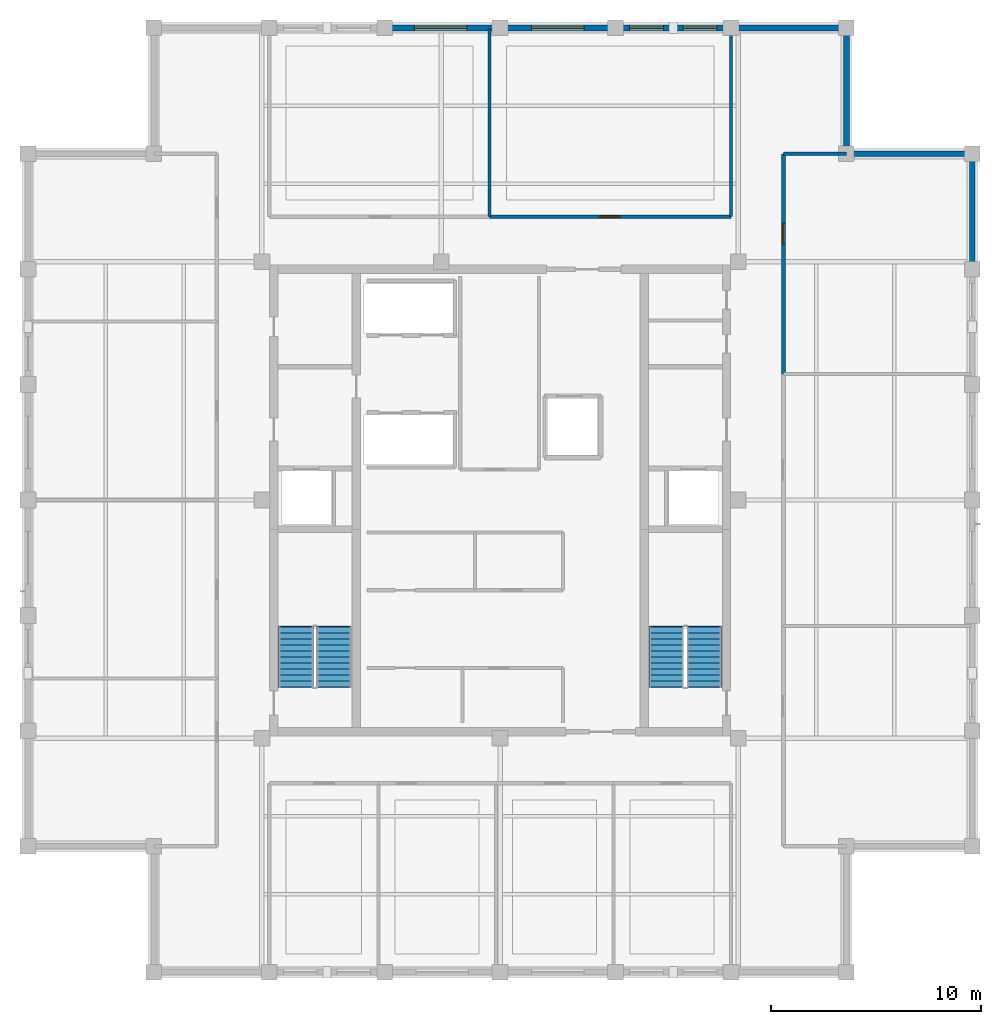
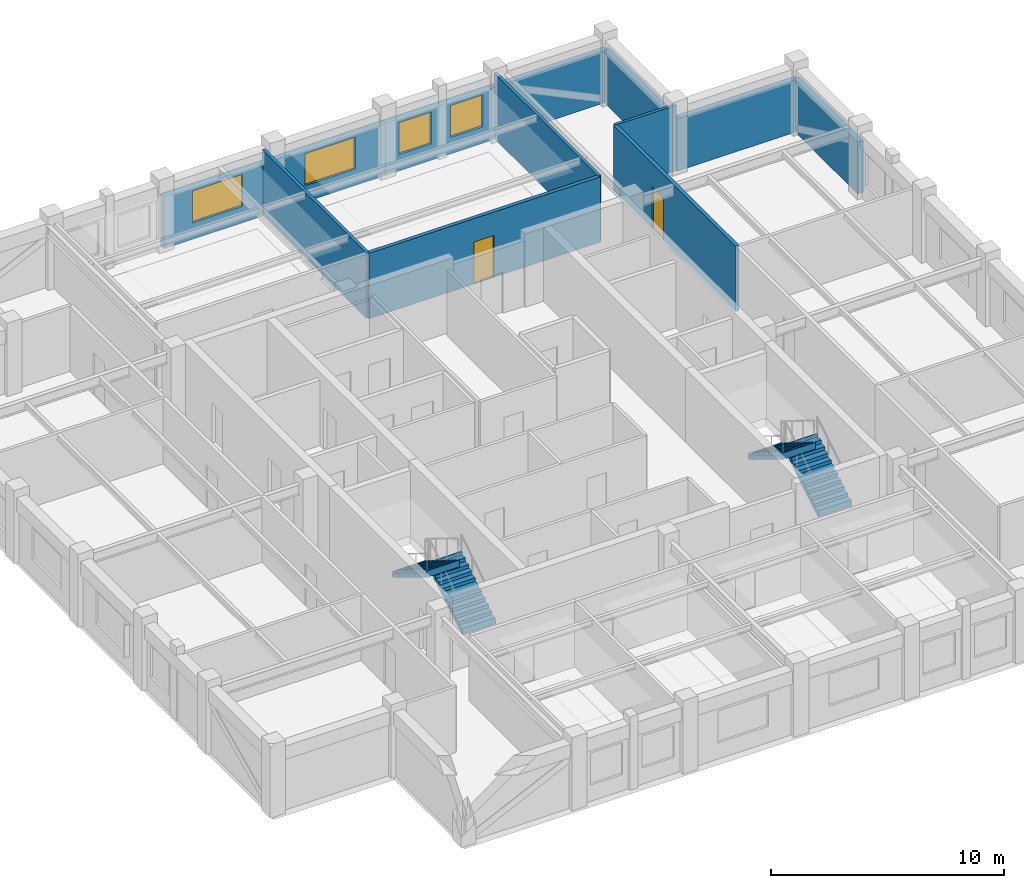
# One storey, part 8 of 10: 12 walls, 4 stair flights, 4 windows, 2 doors, 6 openings, 2 elements without a shape of their own.
"""IFC4 building model written with IfcOpenShell, lengths in metres."""

import ifcopenshell
import ifcopenshell.guid

model = None  # the IFC model being written
_history = None  # IfcOwnerHistory: only IFC2X3 demands one
_inside = {}  # id of a spatial element -> (the spatial element, [elements in it])
_under = {}  # id of a project, library or spatial element -> (it, [spatial elements below it])
_declared = {}  # id of a project -> (the project, [libraries it declares])
_typed = {}  # id of a type object -> (the type object, [elements of that type])
_made_of = {}  # id of a material, layer set ... -> (it, [elements and type objects made of it])


def new_model(schema):
    """Start an empty IFC model of exactly this schema.

    Asked for "IFC4X3", IfcOpenShell would pick the latest addendum, in which some entities
    have other attributes; the version numbers below select the first issue.
    IFC2X3 requires an IfcOwnerHistory on every rooted entity: one is made here for all.
    """
    global model, _history
    if schema == "IFC4X3":
        model = ifcopenshell.file(schema_version=(4, 3, 0, 0))
    else:
        model = ifcopenshell.file(schema=schema)
    _inside.clear()
    _under.clear()
    _declared.clear()
    _typed.clear()
    _made_of.clear()
    _history = None
    if model.schema == "IFC2X3":
        org = make("IfcOrganization", Name="unknown")
        user = make(
            "IfcPersonAndOrganization",
            ThePerson=make("IfcPerson", FamilyName="unknown"),
            TheOrganization=org,
        )
        app = make(
            "IfcApplication",
            ApplicationDeveloper=org,
            Version="unknown",
            ApplicationFullName="unknown",
            ApplicationIdentifier="unknown",
        )
        _history = make(
            "IfcOwnerHistory",
            OwningUser=user,
            OwningApplication=app,
            ChangeAction="ADDED",
            CreationDate=0,
        )
    return model


def make(cls, **values):
    """One entity of the class cls with the attributes given. An attribute that is None is left unset."""
    return model.create_entity(
        cls, **{name: value for name, value in values.items() if value is not None}
    )


def rooted(cls, **values):
    """An entity with a GlobalId (a new one), such as an element, a storey or a relation."""
    return make(cls, GlobalId=ifcopenshell.guid.new(), OwnerHistory=_history, **values)


def si_unit(unit_type, name, prefix=None):
    """IfcSIUnit, for example si_unit("LENGTHUNIT", "METRE", prefix="MILLI")."""
    return make("IfcSIUnit", UnitType=unit_type, Prefix=prefix, Name=name)


def assignment(units):
    """IfcUnitAssignment: the units of a project."""
    return None if units is None else make("IfcUnitAssignment", Units=units)


def point(xyz):
    """IfcCartesianPoint."""
    return None if xyz is None else make("IfcCartesianPoint", Coordinates=xyz)


def direction(xyz):
    """IfcDirection."""
    return None if xyz is None else make("IfcDirection", DirectionRatios=xyz)


def frame(location, z_axis=None, x_axis=None):
    """IfcAxis2Placement3D, a coordinate frame: its origin and axes. An axis left out is left unset."""
    return make(
        "IfcAxis2Placement3D",
        Location=point(location),
        Axis=direction(z_axis),
        RefDirection=direction(x_axis),
    )


def frame_2d(location, x_axis=None):
    """IfcAxis2Placement2D, a coordinate frame in the plane: its origin and x axis."""
    return make(
        "IfcAxis2Placement2D", Location=point(location), RefDirection=direction(x_axis)
    )


def origin():
    """The frame at (0, 0, 0) with its axes left unset."""
    return frame((0.0, 0.0, 0.0))


def place(relative_to, where):
    """IfcLocalPlacement: puts the frame where relative to a parent placement (None: the world)."""
    return make(
        "IfcLocalPlacement", PlacementRelTo=relative_to, RelativePlacement=where
    )


def context(
    kind, dimensions, precision=None, world=None, true_north=None, identifier=None
):
    """IfcGeometricRepresentationContext, for example the 3D "Model" context."""
    return make(
        "IfcGeometricRepresentationContext",
        ContextIdentifier=identifier,
        ContextType=kind,
        CoordinateSpaceDimension=dimensions,
        Precision=precision,
        WorldCoordinateSystem=world,
        TrueNorth=true_north,
    )


def subcontext(parent, identifier, kind, view, scale=None):
    """IfcGeometricRepresentationSubContext, for example "Body" below "Model"."""
    return make(
        "IfcGeometricRepresentationSubContext",
        ContextIdentifier=identifier,
        ContextType=kind,
        ParentContext=parent,
        TargetScale=scale,
        TargetView=view,
    )


def project(units=None, contexts=None):
    """IfcProject with its units and contexts."""
    return rooted(
        "IfcProject",
        Name="project",
        RepresentationContexts=contexts,
        UnitsInContext=assignment(units),
    )


def spatial(cls, under=None, at=None, **own):
    """A site, building, storey or space (cls), placed at a placement, below another one or the project."""
    s = rooted(cls, ObjectPlacement=at, **own)
    if under is not None:
        _under.setdefault(under.id(), (under, []))[1].append(s)
    return s


def polyline(points):
    """IfcPolyline through the points."""
    return make("IfcPolyline", Points=[point(p) for p in points])


def profile(cls, at=None, kind="AREA", **sizes):
    """A parametric profile (cls). Its sizes go by their IFC names, for example OverallWidth=200.0."""
    return make(cls, ProfileType=kind, Position=at, **sizes)


def rectangle(**sizes):
    """IfcRectangleProfileDef."""
    return profile("IfcRectangleProfileDef", **sizes)


def outline(outer, holes=None, kind="AREA"):
    """IfcArbitraryClosedProfileDef: a profile drawn as a closed curve; with holes, ...WithVoids."""
    if holes is None:
        return make("IfcArbitraryClosedProfileDef", ProfileType=kind, OuterCurve=outer)
    return make(
        "IfcArbitraryProfileDefWithVoids",
        ProfileType=kind,
        OuterCurve=outer,
        InnerCurves=holes,
    )


def extrude(swept, where, along, depth):
    """IfcExtrudedAreaSolid: the profile swept, set in the frame where, extruded along a direction by depth."""
    return make(
        "IfcExtrudedAreaSolid",
        SweptArea=swept,
        Position=where,
        ExtrudedDirection=direction(along),
        Depth=depth,
    )


def shape(context_of_items, identifier, shape_type, items):
    """IfcShapeRepresentation: the items that make up one representation, for example the "Body"."""
    return make(
        "IfcShapeRepresentation",
        ContextOfItems=context_of_items,
        RepresentationIdentifier=identifier,
        RepresentationType=shape_type,
        Items=items,
    )


def material(Name=None, Category=None):
    """IfcMaterial."""
    return make("IfcMaterial", Name=Name, Category=Category)


def layer(
    of_material, thickness, ventilated=None, Name=None, Category=None, Priority=None
):
    """IfcMaterialLayer: one layer of a wall or slab, of a material (None: an air gap)."""
    return make(
        "IfcMaterialLayer",
        Material=of_material,
        LayerThickness=thickness,
        IsVentilated=ventilated,
        Name=Name,
        Category=Category,
        Priority=Priority,
    )


def layer_set(layers, Name=None):
    """IfcMaterialLayerSet."""
    return make("IfcMaterialLayerSet", MaterialLayers=layers, LayerSetName=Name)


def made_of(thing, what):
    """Note that an element or type object is made of a material, layer set ...; save() writes the relation."""
    if what is not None:
        _made_of.setdefault(what.id(), (what, []))[1].append(thing)
    return thing


def type_object(cls, material=None, **own):
    """A type object (cls), such as IfcWallType, which elements share."""
    return made_of(rooted(cls, **own), material)


def element(
    cls,
    number,
    at=None,
    inside=None,
    cuts=None,
    type_object=None,
    material=None,
    context=None,
    identifier="Body",
    shape_type=None,
    held_by="IfcProductDefinitionShape",
    body=None,
    shapes=None,
    **own,
):
    """One element of the class cls, such as IfcWall. Its Tag is "e" and its number.

    at: its placement. inside: the storey or other place that contains it. cuts: it is an
    opening in that element (IfcRelVoidsElement). A single representation is given by context,
    identifier, shape_type and body (its items); several are given by shapes. held_by: the class
    of the entity that holds the representations. save() writes the other relations.
    """
    e = rooted(cls, Tag="e%d" % number, ObjectPlacement=at, **own)
    if body is not None:
        shapes = [shape(context, identifier, shape_type, body)]
    if shapes is not None:
        e.Representation = make(held_by, Representations=shapes)
    if inside is not None:
        _inside.setdefault(inside.id(), (inside, []))[1].append(e)
    if cuts is not None:
        rooted(
            "IfcRelVoidsElement", RelatingBuildingElement=cuts, RelatedOpeningElement=e
        )
    if type_object is not None:
        _typed.setdefault(type_object.id(), (type_object, []))[1].append(e)
    return made_of(e, material)


def fill(opening, filler):
    """IfcRelFillsElement: the door or window that sits in an opening."""
    return rooted(
        "IfcRelFillsElement",
        RelatingOpeningElement=opening,
        RelatedBuildingElement=filler,
    )


def aggregate(whole, parts):
    """IfcRelAggregates: a whole, such as a stair, and the parts it consists of."""
    return rooted("IfcRelAggregates", RelatingObject=whole, RelatedObjects=parts)


def save(model, path):
    """Write the relations noted so far, then the file.

    IfcRelAggregates (storeys below a building ...), IfcRelContainedInSpatialStructure (elements
    in a storey), IfcRelDefinesByType, IfcRelAssociatesMaterial and IfcRelDeclares: one each for
    every whole, place, type object, material and project.
    """
    for whole, parts in _under.values():
        aggregate(whole, parts)
    for where, things in _inside.values():
        rooted(
            "IfcRelContainedInSpatialStructure",
            RelatedElements=things,
            RelatingStructure=where,
        )
    for kind, things in _typed.values():
        rooted("IfcRelDefinesByType", RelatedObjects=things, RelatingType=kind)
    for what, things in _made_of.values():
        rooted("IfcRelAssociatesMaterial", RelatedObjects=things, RelatingMaterial=what)
    for by, libraries in _declared.values():
        rooted("IfcRelDeclares", RelatingContext=by, RelatedDefinitions=libraries)
    model.write(path)


model = new_model("IFC4")

# Units and contexts
model_context = context("Model", 3, precision=1e-05, world=origin(), true_north=direction((0.0, 1.0)))
body_context = subcontext(model_context, "Body", "Model", "MODEL_VIEW")
ifc_project = project(units=[si_unit("LENGTHUNIT", "METRE"), si_unit("AREAUNIT", "SQUARE_METRE"), si_unit("VOLUMEUNIT", "CUBIC_METRE"), si_unit("PLANEANGLEUNIT", "RADIAN"), si_unit("MASSUNIT", "GRAM", prefix="KILO")], contexts=[model_context])

# Site, building, storey
site_placement = place(None, origin())
site = spatial("IfcSite", under=ifc_project, at=site_placement, CompositionType="ELEMENT")
building_placement = place(site_placement, origin())
building = spatial("IfcBuilding", under=site, at=building_placement, Name="Nhamokura Convention Tower", CompositionType="ELEMENT")
storey_placement = place(building_placement, frame((0.0, 0.0, 262.14990234375)))
storey = spatial("IfcBuildingStorey", under=building, at=storey_placement, Name="L64", CompositionType="ELEMENT", Elevation=262.14990234375)

# Wall, opening, window
ifc_material_1 = material(Name="Bronze-pigmented precast concrete C45/55", Category="concrete")
ifc_layer_1 = layer(ifc_material_1, 0.280029296875)
ifc_layer_set_1 = layer_set([ifc_layer_1], Name="BronzePrecastSpandrel_280")
wall_type_1 = type_object("IfcWallType", Name="BronzePrecastSpandrel_280", PredefinedType="USERDEFINED", material=ifc_layer_set_1)
wall_1_placement = place(storey_placement, frame((26.5, 54.5, 0.0), z_axis=(0.0, 0.0, 1.0), x_axis=(1.0, 0.0, 0.0)))
wall_1 = element("IfcWall", 1, at=wall_1_placement, inside=storey, type_object=wall_type_1, Name="L64 Masonry-Frame Wall NORTH 2", ObjectType="SPANDREL_WALL", PredefinedType="USERDEFINED", context=body_context, shape_type="SweptSolid", body=[
    extrude(rectangle(XDim=5.5, YDim=0.280029296875, at=frame_2d((2.75, 0.0))), origin(), (0.0, 0.0, 1.0), 2.72998046875),
])
opening_1_placement = place(wall_1_placement, frame((1.41259765625, 0.0, 0.85009765625)))
opening_1 = element("IfcOpeningElement", 2, at=opening_1_placement, cuts=wall_1, Name="Opening W-09", PredefinedType="OPENING", context=body_context, shape_type="SweptSolid", body=[
    extrude(rectangle(XDim=2.5, YDim=1.679931640625, at=frame_2d((1.25, 0.83984375))), frame((0.0, 0.14990234375, 0.0), z_axis=(0.0, -1.0, 0.0), x_axis=(1.0, 0.0, 0.0)), (0.0, 0.0, 1.0), 0.300048828125),
])
ifc_material_2 = material(Name="Solar-control bronze low-E double glass", Category="glass")
window_type_1 = type_object("IfcWindowType", Name="SummitWindow_Z4_2500", PartitioningType="DOUBLE_PANEL_VERTICAL", PredefinedType="WINDOW", material=ifc_material_2)
window_1_placement = place(opening_1_placement, origin())
window_1 = element("IfcWindow", 3, at=window_1_placement, inside=storey, type_object=window_type_1, Name="L64 Facade Window NORTH 2", OverallHeight=1.679931640625, OverallWidth=2.5, PartitioningType="SINGLE_PANEL", PredefinedType="WINDOW", context=body_context, shape_type="SweptSolid", body=[
    extrude(rectangle(XDim=2.5, YDim=1.679931640625, at=frame_2d((1.25, 0.83984375))), frame((0.0, 0.030029296875, 0.0), z_axis=(0.0, -1.0, 0.0), x_axis=(1.0, 0.0, 0.0)), (0.0, 0.0, 1.0), 0.06005859375),
])
fill(opening_1, window_1)

wall_2_placement = place(storey_placement, frame((32.0, 54.5, 0.0), z_axis=(0.0, 0.0, 1.0), x_axis=(1.0, 0.0, 0.0)))
wall_2 = element("IfcWall", 4, at=wall_2_placement, inside=storey, type_object=wall_type_1, Name="L64 Masonry-Frame Wall NORTH 3", ObjectType="SPANDREL_WALL", PredefinedType="USERDEFINED", context=body_context, shape_type="SweptSolid", body=[
    extrude(rectangle(XDim=5.5, YDim=0.280029296875, at=frame_2d((2.75, 0.0))), origin(), (0.0, 0.0, 1.0), 2.72998046875),
])
opening_2_placement = place(wall_2_placement, frame((1.5, 0.0, 0.85009765625)))
opening_2 = element("IfcOpeningElement", 5, at=opening_2_placement, cuts=wall_2, Name="Opening W-09", PredefinedType="OPENING", context=body_context, shape_type="SweptSolid", body=[
    extrude(rectangle(XDim=2.5, YDim=1.679931640625, at=frame_2d((1.25, 0.83984375))), frame((0.0, 0.14990234375, 0.0), z_axis=(0.0, -1.0, 0.0), x_axis=(1.0, 0.0, 0.0)), (0.0, 0.0, 1.0), 0.300048828125),
])
window_2_placement = place(opening_2_placement, origin())
window_2 = element("IfcWindow", 6, at=window_2_placement, inside=storey, type_object=window_type_1, Name="L64 Facade Window NORTH 3", OverallHeight=1.679931640625, OverallWidth=2.5, PartitioningType="SINGLE_PANEL", PredefinedType="WINDOW", context=body_context, shape_type="SweptSolid", body=[
    extrude(rectangle(XDim=2.5, YDim=1.679931640625, at=frame_2d((1.25, 0.83984375))), frame((0.0, 0.030029296875, 0.0), z_axis=(0.0, -1.0, 0.0), x_axis=(1.0, 0.0, 0.0)), (0.0, 0.0, 1.0), 0.06005859375),
])
fill(opening_2, window_2)

# Wall, openings, windows
wall_3_placement = place(storey_placement, frame((37.5, 54.5, 0.0), z_axis=(0.0, 0.0, 1.0), x_axis=(1.0, 0.0, 0.0)))
wall_3 = element("IfcWall", 7, at=wall_3_placement, inside=storey, type_object=wall_type_1, Name="L64 Masonry-Frame Wall NORTH 4", ObjectType="SPANDREL_WALL", PredefinedType="USERDEFINED", context=body_context, shape_type="SweptSolid", body=[
    extrude(rectangle(XDim=5.5, YDim=0.280029296875, at=frame_2d((2.75, 0.0))), origin(), (0.0, 0.0, 1.0), 2.72998046875),
])
opening_3_placement = place(wall_3_placement, frame((0.675048828125, 0.0, 0.85009765625)))
opening_3 = element("IfcOpeningElement", 8, at=opening_3_placement, cuts=wall_3, Name="Opening W-11", PredefinedType="OPENING", context=body_context, shape_type="SweptSolid", body=[
    extrude(rectangle(XDim=1.60009765625, YDim=1.679931640625, at=frame_2d((0.800048828125, 0.83984375))), frame((0.0, 0.14990234375, 0.0), z_axis=(0.0, -1.0, 0.0), x_axis=(1.0, 0.0, 0.0)), (0.0, 0.0, 1.0), 0.300048828125),
])
opening_4_placement = place(wall_3_placement, frame((3.22509765625, 0.0, 0.85009765625)))
opening_4 = element("IfcOpeningElement", 9, at=opening_4_placement, cuts=wall_3, Name="Opening W-11", PredefinedType="OPENING", context=body_context, shape_type="SweptSolid", body=[
    extrude(rectangle(XDim=1.60009765625, YDim=1.679931640625, at=frame_2d((0.800048828125, 0.83984375))), frame((0.0, 0.14990234375, 0.0), z_axis=(0.0, -1.0, 0.0), x_axis=(1.0, 0.0, 0.0)), (0.0, 0.0, 1.0), 0.300048828125),
])
ifc_material_3 = material(Name="Solar-control bronze low-E double glass", Category="glass")
window_type_2 = type_object("IfcWindowType", Name="NotchCornerWindow_1600", PartitioningType="SINGLE_PANEL", PredefinedType="WINDOW", material=ifc_material_3)
window_3_placement = place(opening_3_placement, origin())
window_3 = element("IfcWindow", 10, at=window_3_placement, inside=storey, type_object=window_type_2, Name="L64 Facade Window NORTH 4-1", OverallHeight=1.679931640625, OverallWidth=1.60009765625, PartitioningType="SINGLE_PANEL", PredefinedType="WINDOW", context=body_context, shape_type="SweptSolid", body=[
    extrude(rectangle(XDim=1.60009765625, YDim=1.679931640625, at=frame_2d((0.800048828125, 0.83984375))), frame((0.0, 0.030029296875, 0.0), z_axis=(0.0, -1.0, 0.0), x_axis=(1.0, 0.0, 0.0)), (0.0, 0.0, 1.0), 0.06005859375),
])
fill(opening_3, window_3)
window_4_placement = place(opening_4_placement, origin())
window_4 = element("IfcWindow", 11, at=window_4_placement, inside=storey, type_object=window_type_2, Name="L64 Facade Window NORTH 4-2", OverallHeight=1.679931640625, OverallWidth=1.60009765625, PartitioningType="SINGLE_PANEL", PredefinedType="WINDOW", context=body_context, shape_type="SweptSolid", body=[
    extrude(rectangle(XDim=1.60009765625, YDim=1.679931640625, at=frame_2d((0.800048828125, 0.83984375))), frame((0.0, 0.030029296875, 0.0), z_axis=(0.0, -1.0, 0.0), x_axis=(1.0, 0.0, 0.0)), (0.0, 0.0, 1.0), 0.06005859375),
])
fill(opening_4, window_4)

# Walls
for number, where, z_axis, x_axis, name in (
    (12, (43.0, 54.5, 0.0), (0.0, 0.0, 1.0), (1.0, 0.0, 0.0), "L64 Braced-Bay Precast Wall NORTH 5"),
    (13, (54.5, 48.5, 0.0), (0.0, 0.0, 1.0), (0.0, -1.0, 0.0), "L64 Braced-Bay Precast Wall EAST 5"),
):
    element("IfcWall", number, at=place(storey_placement, frame(where, z_axis=z_axis, x_axis=x_axis)), inside=storey, type_object=wall_type_1, Name=name, ObjectType="SPANDREL_WALL", PredefinedType="USERDEFINED", context=body_context, shape_type="SweptSolid", body=[
        extrude(rectangle(XDim=5.5, YDim=0.280029296875, at=frame_2d((2.75, 0.0))), origin(), (0.0, 0.0, 1.0), 2.72998046875),
    ])
for number, where, z_axis, x_axis, name in (
    (14, (48.5, 48.5, 0.0), (0.0, 0.0, 1.0), (1.0, 0.0, 0.0), "L64 Notched Corner Wall NE1"),
    (15, (48.5, 54.5, 0.0), (0.0, 0.0, 1.0), (0.0, -1.0, 0.0), "L64 Notched Corner Wall NE2"),
):
    element("IfcWall", number, at=place(storey_placement, frame(where, z_axis=z_axis, x_axis=x_axis)), inside=storey, type_object=wall_type_1, Name=name, ObjectType="SPANDREL_WALL", PredefinedType="USERDEFINED", context=body_context, shape_type="SweptSolid", body=[
        extrude(rectangle(XDim=6.0, YDim=0.280029296875, at=frame_2d((3.0, 0.0))), origin(), (0.0, 0.0, 1.0), 2.72998046875),
    ])

# Wall, opening, door
ifc_material_4 = material(Name="Fire-rated gypsum and masonry partition", Category="masonry")
ifc_layer_2 = layer(ifc_material_4, 0.179931640625)
ifc_layer_set_2 = layer_set([ifc_layer_2], Name="CorridorRatedWall_180")
wall_type_2 = type_object("IfcWallType", Name="CorridorRatedWall_180", PredefinedType="STANDARD", material=ifc_layer_set_2)
wall_4_placement = place(storey_placement, frame((31.5, 45.5, 0.0), z_axis=(0.0, 0.0, 1.0), x_axis=(1.0, 0.0, 0.0)))
wall_4 = element("IfcWall", 16, at=wall_4_placement, inside=storey, type_object=wall_type_2, Name="L64 Wall INT-L64-CW-N01", PredefinedType="STANDARD", context=body_context, shape_type="SweptSolid", body=[
    extrude(rectangle(XDim=11.5, YDim=0.179931640625, at=frame_2d((5.75, 0.0))), origin(), (0.0, 0.0, 1.0), 3.43017578125),
])
opening_5_placement = place(wall_4_placement, frame((5.22509765625, 0.0, 0.0)))
opening_5 = element("IfcOpeningElement", 17, at=opening_5_placement, cuts=wall_4, Name="Opening D-08", PredefinedType="OPENING", context=body_context, shape_type="SweptSolid", body=[
    extrude(rectangle(XDim=0.97998046875, YDim=2.199951171875, at=frame_2d((0.489990234375, 1.10009765625))), frame((0.0, 0.099853515625, 0.0), z_axis=(0.0, -1.0, 0.0), x_axis=(1.0, 0.0, 0.0)), (0.0, 0.0, 1.0), 0.199951171875),
])
ifc_material_5 = material(Name="Solid oak hardwood", Category="wood")
door_type = type_object("IfcDoorType", Name="OfficeEntryDoor_980", OperationType="NOTDEFINED", PredefinedType="DOOR", material=ifc_material_5)
door_1_placement = place(opening_5_placement, origin())
door_1 = element("IfcDoor", 18, at=door_1_placement, inside=storey, type_object=door_type, Name="L64 Reference Library N02 Door", OperationType="SINGLE_SWING_RIGHT", OverallHeight=2.199951171875, OverallWidth=0.97998046875, PredefinedType="DOOR", context=body_context, shape_type="SweptSolid", body=[
    extrude(rectangle(XDim=0.97998046875, YDim=2.199951171875, at=frame_2d((0.489990234375, 1.10009765625))), frame((0.0, 0.02490234375, 0.0), z_axis=(0.0, -1.0, 0.0), x_axis=(1.0, 0.0, 0.0)), (0.0, 0.0, 1.0), 0.050048828125),
])
fill(opening_5, door_1)

wall_5_placement = place(storey_placement, frame((45.5, 38.0, 0.0), z_axis=(0.0, 0.0, 1.0), x_axis=(0.0, 1.0, 0.0)))
wall_5 = element("IfcWall", 19, at=wall_5_placement, inside=storey, type_object=wall_type_2, Name="L64 Wall INT-L64-CW-E02", PredefinedType="STANDARD", context=body_context, shape_type="SweptSolid", body=[
    extrude(rectangle(XDim=10.5, YDim=0.179931640625, at=frame_2d((5.25, 0.0))), origin(), (0.0, 0.0, 1.0), 3.43017578125),
])
opening_6_placement = place(wall_5_placement, frame((6.199951171875, 0.0, 0.0)))
opening_6 = element("IfcOpeningElement", 20, at=opening_6_placement, cuts=wall_5, Name="Opening D-08", PredefinedType="OPENING", context=body_context, shape_type="SweptSolid", body=[
    extrude(rectangle(XDim=0.97998046875, YDim=2.199951171875, at=frame_2d((0.489990234375, 1.10009765625))), frame((0.0, 0.099853515625, 0.0), z_axis=(0.0, -1.0, 0.0), x_axis=(1.0, 0.0, 0.0)), (0.0, 0.0, 1.0), 0.199951171875),
])
door_2_placement = place(opening_6_placement, origin())
door_2 = element("IfcDoor", 21, at=door_2_placement, inside=storey, type_object=door_type, Name="L64 Private Office E03 Door", OperationType="SINGLE_SWING_LEFT", OverallHeight=2.199951171875, OverallWidth=0.97998046875, PredefinedType="DOOR", context=body_context, shape_type="SweptSolid", body=[
    extrude(rectangle(XDim=0.97998046875, YDim=2.199951171875, at=frame_2d((0.489990234375, 1.10009765625))), frame((0.0, 0.02490234375, 0.0), z_axis=(0.0, -1.0, 0.0), x_axis=(1.0, 0.0, 0.0)), (0.0, 0.0, 1.0), 0.050048828125),
])
fill(opening_6, door_2)

# Walls
ifc_material_6 = material(Name="Acoustic gypsum stud partition", Category="masonry")
ifc_layer_3 = layer(ifc_material_6, 0.14990234375)
ifc_layer_set_3 = layer_set([ifc_layer_3], Name="InteriorPartition_150")
wall_type_3 = type_object("IfcWallType", Name="InteriorPartition_150", PredefinedType="STANDARD", material=ifc_layer_set_3)
for number, where, z_axis, x_axis, name in (
    (22, (43.0, 45.5, 0.0), (0.0, 0.0, 1.0), (0.0, 1.0, 0.0), "L64 Wall INT-L64-RWR-N"),
    (23, (31.5, 45.5, 0.0), (0.0, 0.0, 1.0), (0.0, 1.0, 0.0), "L64 Wall INT-L64-RW-N01"),
):
    element("IfcWall", number, at=place(storey_placement, frame(where, z_axis=z_axis, x_axis=x_axis)), inside=storey, type_object=wall_type_3, Name=name, PredefinedType="STANDARD", context=body_context, shape_type="SweptSolid", body=[
        extrude(rectangle(XDim=8.93994140625, YDim=0.14990234375, at=frame_2d((4.469970703125, 0.0))), origin(), (0.0, 0.0, 1.0), 3.43017578125),
    ])
wall_6_placement = place(storey_placement, frame((45.5, 48.5, 0.0), z_axis=(0.0, 0.0, 1.0), x_axis=(1.0, 0.0, 0.0)))
element("IfcWall", 24, at=wall_6_placement, inside=storey, type_object=wall_type_3, Name="L64 Wall INT-L64-VSTP-EN", PredefinedType="STANDARD", context=body_context, shape_type="SweptSolid", body=[
    extrude(rectangle(XDim=3.0, YDim=0.14990234375, at=frame_2d((1.5, 0.0))), origin(), (0.0, 0.0, 1.0), 3.43017578125),
])

# Stair, stair flights
ifc_material_7 = material(Name="Concrete C40/50", Category="concrete")
stair_type = type_object("IfcStairType", Name="TowerCoreStair_1650", PredefinedType="HALF_TURN_STAIR", material=ifc_material_7)
stair_1_placement = place(storey_placement, origin())
stair_1 = element("IfcStair", 25, at=stair_1_placement, inside=storey, type_object=stair_type, Name="L64 West Core Smokeproof Stair ST-01", PredefinedType="HALF_TURN_STAIR")
ifc_material_8 = material(Name="Concrete C40/50", Category="concrete")
stair_flight_type = type_object("IfcStairFlightType", Name="TowerCoreStair_1650_Flight", PredefinedType="STRAIGHT", material=ifc_material_8)
stair_flight_1_placement = place(storey_placement, frame((24.074951171875, 23.10009765625, 0.0), z_axis=(0.0, 0.0, 1.0), x_axis=(0.0, 1.0, 0.0)))
stair_flight_1 = element("IfcStairFlight", 26, at=stair_flight_1_placement, type_object=stair_flight_type, Name="ST-01 flight 1", NumberOfRisers=11, NumberOfTreads=10, PredefinedType="STRAIGHT", RiserHeight=0.175, TreadLength=0.285, context=body_context, shape_type="SweptSolid", body=[
    extrude(outline(polyline([(-0.0419921875, 0.0), (0.0, 0.175048828125), (0.284912109375, 0.175048828125), (0.284912109375, 0.35009765625), (0.570068359375, 0.35009765625), (0.570068359375, 0.52490234375), (0.85498046875, 0.52490234375), (0.85498046875, 0.699951171875), (1.139892578125, 0.699951171875), (1.139892578125, 0.875), (1.425048828125, 0.875), (1.425048828125, 1.050048828125), (1.7099609375, 1.050048828125), (1.7099609375, 1.22509765625), (1.9951171875, 1.22509765625), (1.9951171875, 1.39990234375), (2.280029296875, 1.39990234375), (2.280029296875, 1.574951171875), (2.56494140625, 1.574951171875), (2.56494140625, 1.75), (2.85009765625, 1.75), (2.85009765625, 1.925048828125), (2.89208984375, 1.925048828125), (2.89208984375, 1.573974609375), (2.85009765625, 1.573974609375), (0.286376953125, 0.0), (0.02001953125, -0.1298828125), (-0.0419921875, -0.1298828125), (-0.0419921875, 0.0)])), frame((0.0, 0.824951171875, 0.0), z_axis=(0.0, -1.0, 0.0), x_axis=(1.0, 0.0, 0.0)), (0.0, 0.0, 1.0), 1.64990234375),
])
stair_flight_2_placement = place(storey_placement, frame((22.27490234375, 25.949951171875, 1.925048828125), z_axis=(0.0, 0.0, 1.0), x_axis=(0.0, -1.0, 0.0)))
stair_flight_2 = element("IfcStairFlight", 27, at=stair_flight_2_placement, type_object=stair_flight_type, Name="ST-01 flight 2", NumberOfRisers=11, NumberOfTreads=10, PredefinedType="STRAIGHT", RiserHeight=0.175, TreadLength=0.285, context=body_context, shape_type="SweptSolid", body=[
    extrude(outline(polyline([(-0.0419921875, 0.0), (0.0, 0.175048828125), (0.284912109375, 0.175048828125), (0.284912109375, 0.35009765625), (0.570068359375, 0.35009765625), (0.570068359375, 0.52490234375), (0.85498046875, 0.52490234375), (0.85498046875, 0.699951171875), (1.139892578125, 0.699951171875), (1.139892578125, 0.875), (1.425048828125, 0.875), (1.425048828125, 1.050048828125), (1.7099609375, 1.050048828125), (1.7099609375, 1.22509765625), (1.9951171875, 1.22509765625), (1.9951171875, 1.39990234375), (2.280029296875, 1.39990234375), (2.280029296875, 1.574951171875), (2.56494140625, 1.574951171875), (2.56494140625, 1.75), (2.85009765625, 1.75), (2.85009765625, 1.925048828125), (2.89208984375, 1.925048828125), (2.89208984375, 1.573974609375), (2.85009765625, 1.573974609375), (0.286376953125, 0.0), (0.02001953125, -0.1298828125), (-0.0419921875, -0.1298828125), (-0.0419921875, 0.0)])), frame((0.0, 0.824951171875, 0.0), z_axis=(0.0, -1.0, 0.0), x_axis=(1.0, 0.0, 0.0)), (0.0, 0.0, 1.0), 1.64990234375),
])
aggregate(stair_1, [stair_flight_1, stair_flight_2])

stair_2_placement = place(storey_placement, origin())
stair_2 = element("IfcStair", 28, at=stair_2_placement, inside=storey, type_object=stair_type, Name="L64 East Core Smokeproof Stair ST-02", PredefinedType="HALF_TURN_STAIR")
stair_flight_3_placement = place(storey_placement, frame((41.72509765625, 23.10009765625, 0.0), z_axis=(0.0, 0.0, 1.0), x_axis=(0.0, 1.0, 0.0)))
stair_flight_3 = element("IfcStairFlight", 29, at=stair_flight_3_placement, type_object=stair_flight_type, Name="ST-02 flight 1", NumberOfRisers=11, NumberOfTreads=10, PredefinedType="STRAIGHT", RiserHeight=0.175, TreadLength=0.285, context=body_context, shape_type="SweptSolid", body=[
    extrude(outline(polyline([(-0.0419921875, 0.0), (0.0, 0.175048828125), (0.284912109375, 0.175048828125), (0.284912109375, 0.35009765625), (0.570068359375, 0.35009765625), (0.570068359375, 0.52490234375), (0.85498046875, 0.52490234375), (0.85498046875, 0.699951171875), (1.139892578125, 0.699951171875), (1.139892578125, 0.875), (1.425048828125, 0.875), (1.425048828125, 1.050048828125), (1.7099609375, 1.050048828125), (1.7099609375, 1.22509765625), (1.9951171875, 1.22509765625), (1.9951171875, 1.39990234375), (2.280029296875, 1.39990234375), (2.280029296875, 1.574951171875), (2.56494140625, 1.574951171875), (2.56494140625, 1.75), (2.85009765625, 1.75), (2.85009765625, 1.925048828125), (2.89208984375, 1.925048828125), (2.89208984375, 1.573974609375), (2.85009765625, 1.573974609375), (0.286376953125, 0.0), (0.02001953125, -0.1298828125), (-0.0419921875, -0.1298828125), (-0.0419921875, 0.0)])), frame((0.0, 0.824951171875, 0.0), z_axis=(0.0, -1.0, 0.0), x_axis=(1.0, 0.0, 0.0)), (0.0, 0.0, 1.0), 1.64990234375),
])
stair_flight_4_placement = place(storey_placement, frame((39.925048828125, 25.949951171875, 1.925048828125), z_axis=(0.0, 0.0, 1.0), x_axis=(0.0, -1.0, 0.0)))
stair_flight_4 = element("IfcStairFlight", 30, at=stair_flight_4_placement, type_object=stair_flight_type, Name="ST-02 flight 2", NumberOfRisers=11, NumberOfTreads=10, PredefinedType="STRAIGHT", RiserHeight=0.175, TreadLength=0.285, context=body_context, shape_type="SweptSolid", body=[
    extrude(outline(polyline([(-0.0419921875, 0.0), (0.0, 0.175048828125), (0.284912109375, 0.175048828125), (0.284912109375, 0.35009765625), (0.570068359375, 0.35009765625), (0.570068359375, 0.52490234375), (0.85498046875, 0.52490234375), (0.85498046875, 0.699951171875), (1.139892578125, 0.699951171875), (1.139892578125, 0.875), (1.425048828125, 0.875), (1.425048828125, 1.050048828125), (1.7099609375, 1.050048828125), (1.7099609375, 1.22509765625), (1.9951171875, 1.22509765625), (1.9951171875, 1.39990234375), (2.280029296875, 1.39990234375), (2.280029296875, 1.574951171875), (2.56494140625, 1.574951171875), (2.56494140625, 1.75), (2.85009765625, 1.75), (2.85009765625, 1.925048828125), (2.89208984375, 1.925048828125), (2.89208984375, 1.573974609375), (2.85009765625, 1.573974609375), (0.286376953125, 0.0), (0.02001953125, -0.1298828125), (-0.0419921875, -0.1298828125), (-0.0419921875, 0.0)])), frame((0.0, 0.824951171875, 0.0), z_axis=(0.0, -1.0, 0.0), x_axis=(1.0, 0.0, 0.0)), (0.0, 0.0, 1.0), 1.64990234375),
])
aggregate(stair_2, [stair_flight_3, stair_flight_4])

save(model, "model.ifc")
